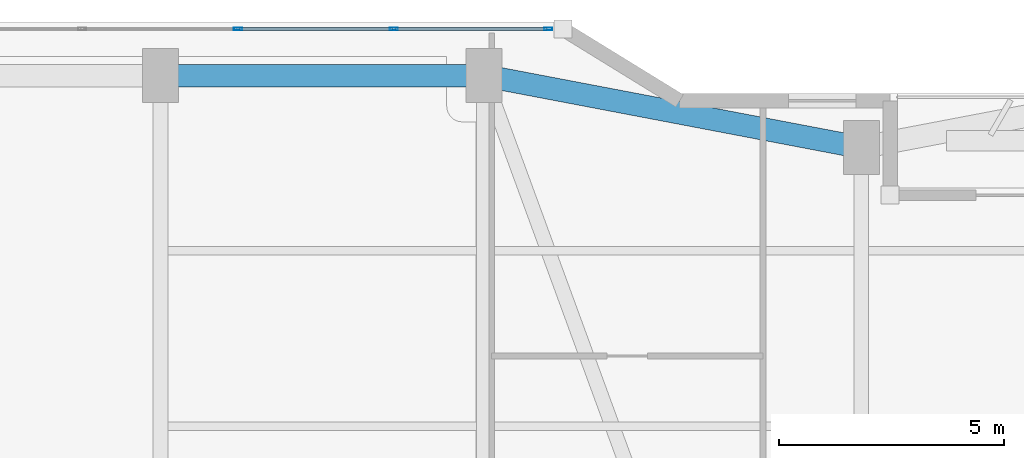
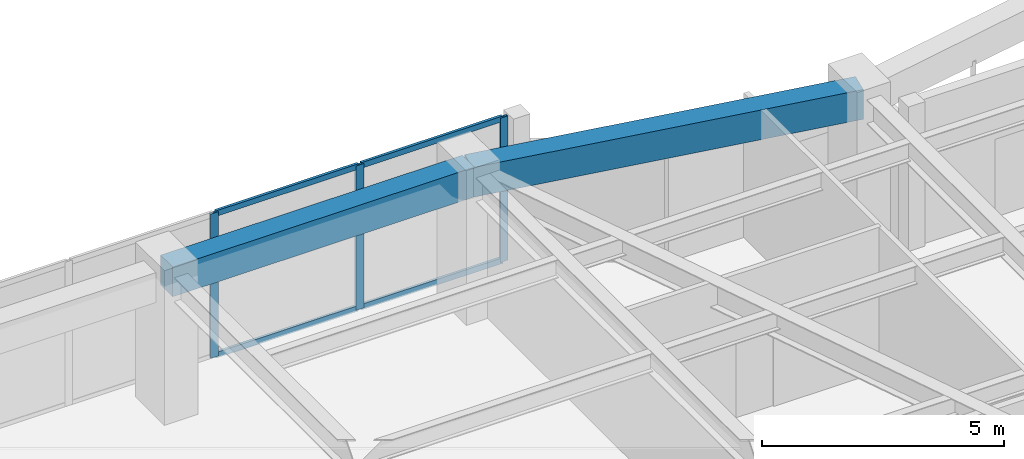
# One storey, part 14 of 24: 7 members, 2 beams, 1 element without a shape of its own.
"""IFC4 building model written with IfcOpenShell, lengths in metres."""

from ifc_helpers import new_model, si_unit, direction, frame, origin, origin_2d, place, context, subcontext, project, spatial, rectangle, hollow_rectangle, extrude, material, layer, layer_set, material_profile, profile_set, type_object, element, aggregate, save


model = new_model("IFC4")

# Units and contexts
model_context = context("Model", 3, precision=1e-05, world=origin(), true_north=direction((0.0, 1.0)))
body_context = subcontext(model_context, "Body", "Model", "MODEL_VIEW")
ifc_project = project(units=[si_unit("LENGTHUNIT", "METRE"), si_unit("AREAUNIT", "SQUARE_METRE"), si_unit("VOLUMEUNIT", "CUBIC_METRE"), si_unit("PLANEANGLEUNIT", "RADIAN"), si_unit("MASSUNIT", "GRAM", prefix="KILO")], contexts=[model_context])

# Site, building, storey
site_placement = place(None, origin())
site = spatial("IfcSite", under=ifc_project, at=site_placement, CompositionType="ELEMENT")
building_placement = place(site_placement, origin())
building = spatial("IfcBuilding", under=site, at=building_placement, Name="Kiyonajd Concourse Tower", CompositionType="ELEMENT")
storey_placement = place(building_placement, frame((0.0, 0.0, 97.5)))
storey = spatial("IfcBuildingStorey", under=building, at=storey_placement, Name="L25", CompositionType="ELEMENT", Elevation=97.5)

# Beams
ifc_material_1 = material(Name="Precast concrete C50/60", Category="concrete")
ifc_material_profile_1 = material_profile(ifc_material_1, rectangle(XDim=0.5, YDim=0.75, at=origin_2d()), Name="RCBM-500x750")
ifc_profile_set_1 = profile_set([ifc_material_profile_1], Name="Precast concrete C50/60")
beam_type = type_object("IfcBeamType", Name="BM-SPAN-RC", PredefinedType="SPANDREL", material=ifc_profile_set_1)
beam_1_placement = place(storey_placement, frame((48.0, 59.60009765625, 3.264892578125), z_axis=(-0.982341315253, 0.187097675953, 0.0), x_axis=(-0.187097675953, -0.982341315253, 0.0)))
element("IfcBeam", 1, at=beam_1_placement, inside=storey, type_object=beam_type, Name="L25 Perimeter Bundled Tube Spandrel", PredefinedType="SPANDREL", context=body_context, shape_type="SweptSolid", body=[
    extrude(rectangle(XDim=0.5, YDim=0.75, at=origin_2d()), origin(), (0.0, 0.0, 1.0), 8.55078125),
])
beam_2_placement = place(storey_placement, frame((39.60009765625, 61.199951171875, 3.264892578125), z_axis=(-1.0, 0.0, 0.0), x_axis=(0.0, -1.0, 0.0)))
element("IfcBeam", 2, at=beam_2_placement, inside=storey, type_object=beam_type, Name="L25 Perimeter Bundled Tube Spandrel", PredefinedType="SPANDREL", context=body_context, shape_type="SweptSolid", body=[
    extrude(rectangle(XDim=0.5, YDim=0.75, at=origin_2d()), origin(), (0.0, 0.0, 1.0), 7.2001953125),
])

# Curtain wall, members
ifc_material_2 = material(Name="Thermally Broken Anodised Aluminium", Category="aluminium")
ifc_layer = layer(ifc_material_2, 0.179931640625)
ifc_layer_set = layer_set([ifc_layer], Name="Thermally Broken Anodised Aluminium")
curtain_wall_type = type_object("IfcCurtainWallType", Name="CW-SYS-03", PredefinedType="NOTDEFINED", material=ifc_layer_set)
curtain_wall_placement = place(storey_placement, origin())
curtain_wall = element("IfcCurtainWall", 3, at=curtain_wall_placement, inside=storey, type_object=curtain_wall_type, Name="L25 Unitised Curtain Wall CW3", PredefinedType="NOTDEFINED")
ifc_material_profile_2 = material_profile(ifc_material_2, hollow_rectangle(XDim=0.06494140625, YDim=0.179931640625, WallThickness=0.00390625, at=origin_2d()), Name="MULL-65x180")
ifc_profile_set_2 = profile_set([ifc_material_profile_2], Name="Thermally Broken Anodised Aluminium")
member_type_1 = type_object("IfcMemberType", Name="MB-CW-MULL1", PredefinedType="MULLION", material=ifc_profile_set_2)
member_1_placement = place(storey_placement, frame((34.123291015625, 62.239990234375, 0.0), z_axis=(0.0, 0.0, 1.0), x_axis=(0.0, 1.0, 0.0)))
member_1 = element("IfcMember", 4, at=member_1_placement, type_object=member_type_1, Name="CW3 mullion 4", PredefinedType="MULLION", context=body_context, shape_type="SweptSolid", body=[
    extrude(hollow_rectangle(XDim=0.06494140625, YDim=0.179931640625, WallThickness=0.00390625, at=origin_2d()), origin(), (0.0, 0.0, 1.0), 3.639892578125),
])
member_2_placement = place(storey_placement, frame((37.593994140625, 62.239990234375, 0.0), z_axis=(0.0, 0.0, 1.0), x_axis=(0.0, 1.0, 0.0)))
member_2 = element("IfcMember", 5, at=member_2_placement, type_object=member_type_1, Name="CW3 mullion 5", PredefinedType="MULLION", context=body_context, shape_type="SweptSolid", body=[
    extrude(hollow_rectangle(XDim=0.06494140625, YDim=0.179931640625, WallThickness=0.00390625, at=origin_2d()), origin(), (0.0, 0.0, 1.0), 3.639892578125),
])
member_3_placement = place(storey_placement, frame((41.0322265625, 62.239990234375, 0.0), z_axis=(0.0, 0.0, 1.0), x_axis=(0.0, 1.0, 0.0)))
member_3 = element("IfcMember", 6, at=member_3_placement, type_object=member_type_1, Name="CW3 mullion 6", PredefinedType="MULLION", context=body_context, shape_type="SweptSolid", body=[
    extrude(hollow_rectangle(XDim=0.06494140625, YDim=0.179931640625, WallThickness=0.00390625, at=origin_2d()), origin(), (0.0, 0.0, 1.0), 3.639892578125),
])
ifc_material_profile_3 = material_profile(ifc_material_2, hollow_rectangle(XDim=0.06494140625, YDim=0.139892578125, WallThickness=0.00390625, at=origin_2d()), Name="TRAN-65x140")
ifc_profile_set_3 = profile_set([ifc_material_profile_3], Name="Thermally Broken Anodised Aluminium")
member_type_2 = type_object("IfcMemberType", Name="MB-CW-TRAN1", PredefinedType="USERDEFINED", material=ifc_profile_set_3)
member_4_placement = place(storey_placement, frame((34.15576171875, 62.239990234375, 0.032470703125), z_axis=(1.0, 0.0, 0.0), x_axis=(0.0, 1.0, 0.0)))
member_4 = element("IfcMember", 7, at=member_4_placement, type_object=member_type_2, Name="CW3 transom 4.1", ObjectType="TRANSOM", PredefinedType="USERDEFINED", context=body_context, shape_type="SweptSolid", body=[
    extrude(hollow_rectangle(XDim=0.06494140625, YDim=0.139892578125, WallThickness=0.00390625, at=origin_2d()), origin(), (0.0, 0.0, 1.0), 3.40576171875),
])
member_5_placement = place(storey_placement, frame((34.15576171875, 62.239990234375, 3.607421875), z_axis=(1.0, 0.0, 0.0), x_axis=(0.0, 1.0, 0.0)))
member_5 = element("IfcMember", 8, at=member_5_placement, type_object=member_type_2, Name="CW3 transom 4.2", ObjectType="TRANSOM", PredefinedType="USERDEFINED", context=body_context, shape_type="SweptSolid", body=[
    extrude(hollow_rectangle(XDim=0.06494140625, YDim=0.139892578125, WallThickness=0.00390625, at=origin_2d()), origin(), (0.0, 0.0, 1.0), 3.40576171875),
])
member_6_placement = place(storey_placement, frame((37.62646484375, 62.239990234375, 0.032470703125), z_axis=(1.0, 0.0, 0.0), x_axis=(0.0, 1.0, 0.0)))
member_6 = element("IfcMember", 9, at=member_6_placement, type_object=member_type_2, Name="CW3 transom 5.1", ObjectType="TRANSOM", PredefinedType="USERDEFINED", context=body_context, shape_type="SweptSolid", body=[
    extrude(hollow_rectangle(XDim=0.06494140625, YDim=0.139892578125, WallThickness=0.00390625, at=origin_2d()), origin(), (0.0, 0.0, 1.0), 3.373291015625),
])
member_7_placement = place(storey_placement, frame((37.62646484375, 62.239990234375, 3.607421875), z_axis=(1.0, 0.0, 0.0), x_axis=(0.0, 1.0, 0.0)))
member_7 = element("IfcMember", 10, at=member_7_placement, type_object=member_type_2, Name="CW3 transom 5.2", ObjectType="TRANSOM", PredefinedType="USERDEFINED", context=body_context, shape_type="SweptSolid", body=[
    extrude(hollow_rectangle(XDim=0.06494140625, YDim=0.139892578125, WallThickness=0.00390625, at=origin_2d()), origin(), (0.0, 0.0, 1.0), 3.373291015625),
])
aggregate(curtain_wall, [member_1, member_2, member_3, member_4, member_5, member_6, member_7])

save(model, "model.ifc")
